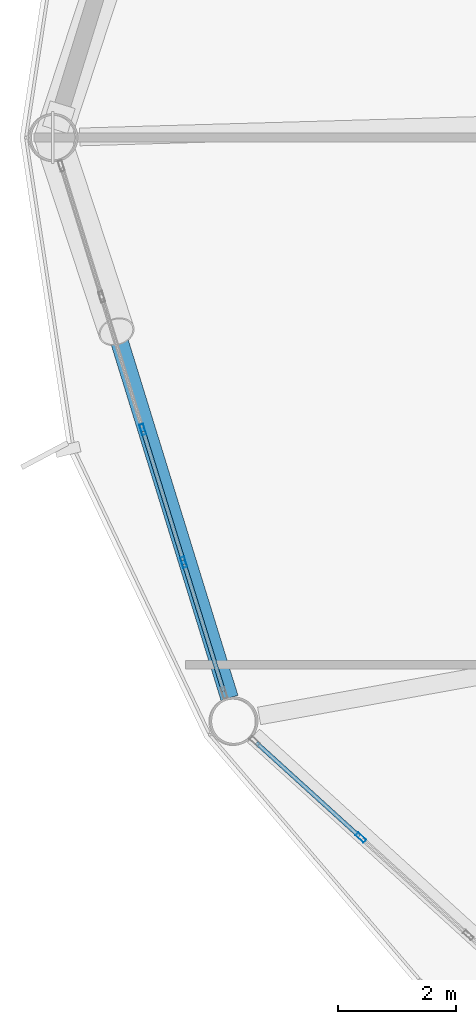
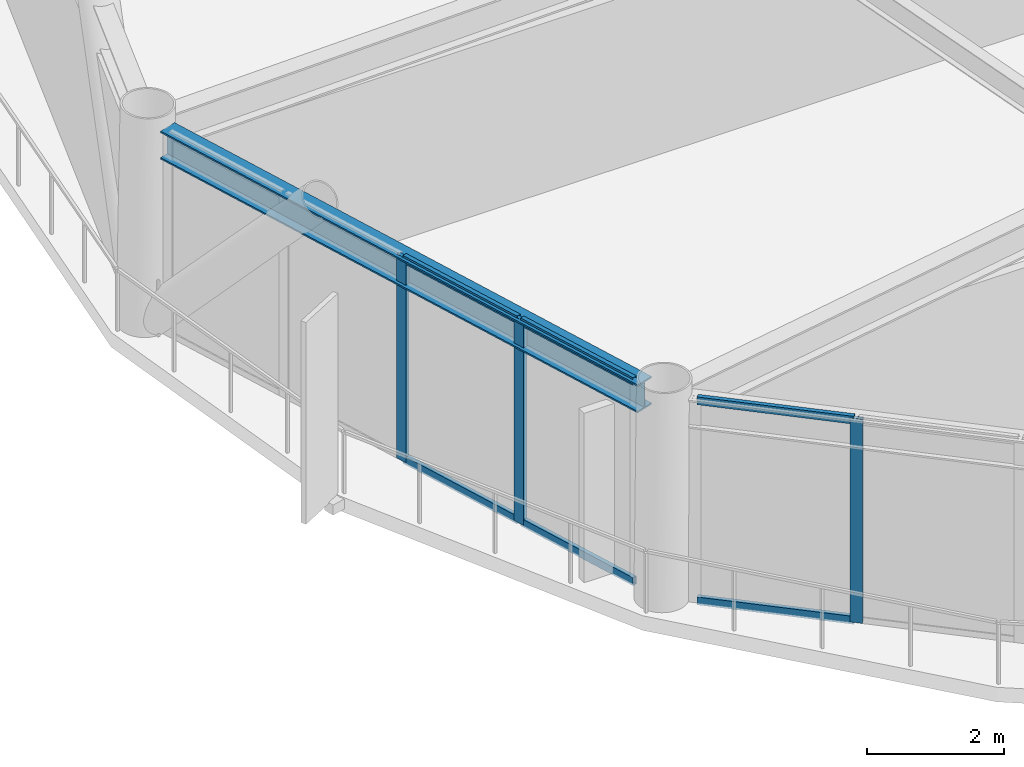
# One storey, part 3 of 26: 9 members, 1 beam, 2 elements without a shape of their own.
"""IFC4 building model written with IfcOpenShell, lengths in metres."""

from ifc_helpers import new_model, si_unit, direction, frame, origin, origin_2d, place, context, subcontext, project, spatial, hollow_rectangle, i_section, extrude, material, layer, layer_set, material_profile, profile_set, type_object, element, aggregate, save


model = new_model("IFC4")

# Units and contexts
model_context = context("Model", 3, precision=1e-05, world=origin(), true_north=direction((0.0, 1.0)))
body_context = subcontext(model_context, "Body", "Model", "MODEL_VIEW")
ifc_project = project(units=[si_unit("LENGTHUNIT", "METRE"), si_unit("AREAUNIT", "SQUARE_METRE"), si_unit("VOLUMEUNIT", "CUBIC_METRE"), si_unit("PLANEANGLEUNIT", "RADIAN"), si_unit("MASSUNIT", "GRAM", prefix="KILO")], contexts=[model_context])

# Site, building, storey
site_placement = place(None, origin())
site = spatial("IfcSite", under=ifc_project, at=site_placement, CompositionType="ELEMENT")
building_placement = place(site_placement, origin())
building = spatial("IfcBuilding", under=site, at=building_placement, Name="Varnakorn Sky Granary", CompositionType="ELEMENT")
storey_placement = place(building_placement, frame((0.0, 0.0, 87.60009765625)))
storey = spatial("IfcBuildingStorey", under=building, at=storey_placement, Name="L21", CompositionType="ELEMENT", Elevation=87.60009765625)

# Beam
ifc_material_1 = material(Name="Steel S355JR", Category="steel")
ifc_material_profile_1 = material_profile(ifc_material_1, i_section(OverallWidth=0.300048828125, OverallDepth=0.5, WebThickness=0.014404296875, FlangeThickness=0.028076171875, at=origin_2d()), Name="HE 500 B")
ifc_profile_set_1 = profile_set([ifc_material_profile_1], Name="Steel S355JR")
beam_type = type_object("IfcBeamType", Name="BM-SPD-Z2", PredefinedType="SPANDREL", material=ifc_profile_set_1)
beam_placement = place(storey_placement, frame((-23.16748046875, -0.3740234375, 3.389892578125), z_axis=(0.294919318378, -0.955522158638, 0.0), x_axis=(0.955522158638, 0.294919318378, 0.0)))
element("IfcBeam", 1, at=beam_placement, inside=storey, type_object=beam_type, Name="Perimeter Spandrel Ring Beam RB07 L21", PredefinedType="SPANDREL", context=body_context, shape_type="SweptSolid", body=[
    extrude(i_section(OverallWidth=0.300048828125, OverallDepth=0.5, WebThickness=0.014404296875, FlangeThickness=0.028076171875, at=origin_2d()), origin(), (0.0, 0.0, 1.0), 9.50830078125),
])

# Curtain wall, members
ifc_material_2 = material(Name="Anodised Bronze Aluminium Alloy 6063-T6", Category="aluminium")
ifc_layer = layer(ifc_material_2, 0.18994140625, Name="Anodised Bronze Aluminium Alloy 6063-T6")
ifc_layer_set = layer_set([ifc_layer], Name="Anodised Bronze Aluminium Alloy 6063-T6")
curtain_wall_type = type_object("IfcCurtainWallType", Name="CW-FRM-1", PredefinedType="USERDEFINED", material=ifc_layer_set)
curtain_wall_1_placement = place(storey_placement, origin())
curtain_wall_1 = element("IfcCurtainWall", 2, at=curtain_wall_1_placement, inside=storey, type_object=curtain_wall_type, Name="Unitised Curtain Wall CW3 CW-L21-B07", ObjectType="CURTAIN WALL", PredefinedType="USERDEFINED")
ifc_material_profile_2 = material_profile(ifc_material_2, hollow_rectangle(XDim=0.070068359375, YDim=0.18505859375, WallThickness=0.00390625, at=origin_2d()), Name="ALU MULL 70x185")
ifc_profile_set_2 = profile_set([ifc_material_profile_2], Name="Anodised Bronze Aluminium Alloy 6063-T6")
member_type_1 = type_object("IfcMemberType", Name="CW-FRM-1-MULL", PredefinedType="MULLION", material=ifc_profile_set_2)
member_1_placement = place(storey_placement, frame((-21.1357421875, -7.170166015625, 0.0), z_axis=(0.0, 0.0, 1.0), x_axis=(-0.955475972481, -0.295068917394, 0.0)))
member_1 = element("IfcMember", 3, at=member_1_placement, type_object=member_type_1, Name="CW3 mullion 2", PredefinedType="MULLION", context=body_context, shape_type="SweptSolid", body=[
    extrude(hollow_rectangle(XDim=0.070068359375, YDim=0.18505859375, WallThickness=0.00390625, at=origin_2d()), origin(), (0.0, 0.0, 1.0), 3.639892578125),
])
member_2_placement = place(storey_placement, frame((-21.827880859375, -4.9287109375, 0.0), z_axis=(0.0, 0.0, 1.0), x_axis=(-0.955475972481, -0.295068917394, 0.0)))
member_2 = element("IfcMember", 4, at=member_2_placement, type_object=member_type_1, Name="CW3 mullion 3", PredefinedType="MULLION", context=body_context, shape_type="SweptSolid", body=[
    extrude(hollow_rectangle(XDim=0.070068359375, YDim=0.18505859375, WallThickness=0.00390625, at=origin_2d()), origin(), (0.0, 0.0, 1.0), 3.639892578125),
])

# Curtain wall, member
curtain_wall_2_placement = place(storey_placement, origin())
curtain_wall_2 = element("IfcCurtainWall", 5, at=curtain_wall_2_placement, inside=storey, type_object=curtain_wall_type, Name="Unitised Curtain Wall CW3 CW-L21-B08", ObjectType="CURTAIN WALL", PredefinedType="USERDEFINED")
member_3_placement = place(storey_placement, frame((-18.14599609375, -11.818359375, 0.0), z_axis=(0.0, 0.0, 1.0), x_axis=(-0.672190262797, -0.74037845093, 0.0)))
member_3 = element("IfcMember", 6, at=member_3_placement, type_object=member_type_1, Name="CW3 mullion 4", PredefinedType="MULLION", context=body_context, shape_type="SweptSolid", body=[
    extrude(hollow_rectangle(XDim=0.070068359375, YDim=0.18505859375, WallThickness=0.00390625, at=origin_2d()), origin(), (0.0, 0.0, 1.0), 3.639892578125),
])

# Member
ifc_material_profile_3 = material_profile(ifc_material_2, hollow_rectangle(XDim=0.070068359375, YDim=0.139892578125, WallThickness=0.00341796875, at=origin_2d()), Name="ALU TRAN 70x140")
ifc_profile_set_3 = profile_set([ifc_material_profile_3], Name="Anodised Bronze Aluminium Alloy 6063-T6")
member_type_2 = type_object("IfcMemberType", Name="CW-FRM-1-TRAN", PredefinedType="USERDEFINED", material=ifc_profile_set_3)
member_4_placement = place(storey_placement, frame((-20.464111328125, -9.344970703125, 0.034912109375), z_axis=(-0.295004326024, 0.955495917117, 0.0), x_axis=(-0.955495917117, -0.295004326024, 0.0)))
member_4 = element("IfcMember", 7, at=member_4_placement, type_object=member_type_2, Name="CW3 transom 1.1", ObjectType="TRANSOM", PredefinedType="USERDEFINED", context=body_context, shape_type="SweptSolid", body=[
    extrude(hollow_rectangle(XDim=0.070068359375, YDim=0.139892578125, WallThickness=0.00341796875, at=origin_2d()), origin(), (0.0, 0.0, 1.0), 2.2412109375),
])

member_5_placement = place(storey_placement, frame((-20.464111328125, -9.344970703125, 3.60498046875), z_axis=(-0.295004326024, 0.955495917117, 0.0), x_axis=(-0.955495917117, -0.295004326024, 0.0)))
member_5 = element("IfcMember", 8, at=member_5_placement, type_object=member_type_2, Name="CW3 transom 1.2", ObjectType="TRANSOM", PredefinedType="USERDEFINED", context=body_context, shape_type="SweptSolid", body=[
    extrude(hollow_rectangle(XDim=0.070068359375, YDim=0.139892578125, WallThickness=0.00341796875, at=origin_2d()), origin(), (0.0, 0.0, 1.0), 2.2412109375),
])

member_6_placement = place(storey_placement, frame((-21.14599609375, -7.13671875, 0.034912109375), z_axis=(-0.29510330976, 0.955465350794, 0.0), x_axis=(-0.955465350794, -0.29510330976, 0.0)))
member_6 = element("IfcMember", 9, at=member_6_placement, type_object=member_type_2, Name="CW3 transom 2.1", ObjectType="TRANSOM", PredefinedType="USERDEFINED", context=body_context, shape_type="SweptSolid", body=[
    extrude(hollow_rectangle(XDim=0.070068359375, YDim=0.139892578125, WallThickness=0.00341796875, at=origin_2d()), origin(), (0.0, 0.0, 1.0), 2.27587890625),
])

member_7_placement = place(storey_placement, frame((-21.14599609375, -7.13671875, 3.60498046875), z_axis=(-0.29510330976, 0.955465350794, 0.0), x_axis=(-0.955465350794, -0.29510330976, 0.0)))
member_7 = element("IfcMember", 10, at=member_7_placement, type_object=member_type_2, Name="CW3 transom 2.2", ObjectType="TRANSOM", PredefinedType="USERDEFINED", context=body_context, shape_type="SweptSolid", body=[
    extrude(hollow_rectangle(XDim=0.070068359375, YDim=0.139892578125, WallThickness=0.00341796875, at=origin_2d()), origin(), (0.0, 0.0, 1.0), 2.27587890625),
])

aggregate(curtain_wall_1, [member_1, member_2, member_4, member_5, member_6, member_7])

member_8_placement = place(storey_placement, frame((-18.171875, -11.794921875, 0.034912109375), z_axis=(-0.740373224632, 0.672196019215, 0.0), x_axis=(-0.672196019215, -0.740373224632, 0.0)))
member_8 = element("IfcMember", 11, at=member_8_placement, type_object=member_type_2, Name="CW3 transom 4.1", ObjectType="TRANSOM", PredefinedType="USERDEFINED", context=body_context, shape_type="SweptSolid", body=[
    extrude(hollow_rectangle(XDim=0.070068359375, YDim=0.139892578125, WallThickness=0.00341796875, at=origin_2d()), origin(), (0.0, 0.0, 1.0), 2.345458984375),
])

member_9_placement = place(storey_placement, frame((-18.171875, -11.794921875, 3.60498046875), z_axis=(-0.740373224632, 0.672196019215, 0.0), x_axis=(-0.672196019215, -0.740373224632, 0.0)))
member_9 = element("IfcMember", 12, at=member_9_placement, type_object=member_type_2, Name="CW3 transom 4.2", ObjectType="TRANSOM", PredefinedType="USERDEFINED", context=body_context, shape_type="SweptSolid", body=[
    extrude(hollow_rectangle(XDim=0.070068359375, YDim=0.139892578125, WallThickness=0.00341796875, at=origin_2d()), origin(), (0.0, 0.0, 1.0), 2.345458984375),
])

aggregate(curtain_wall_2, [member_3, member_8, member_9])

save(model, "model.ifc")
